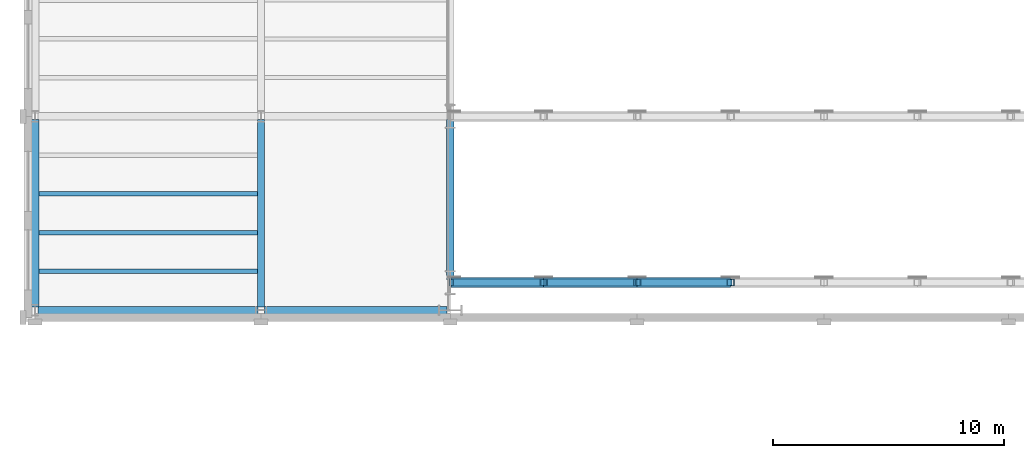
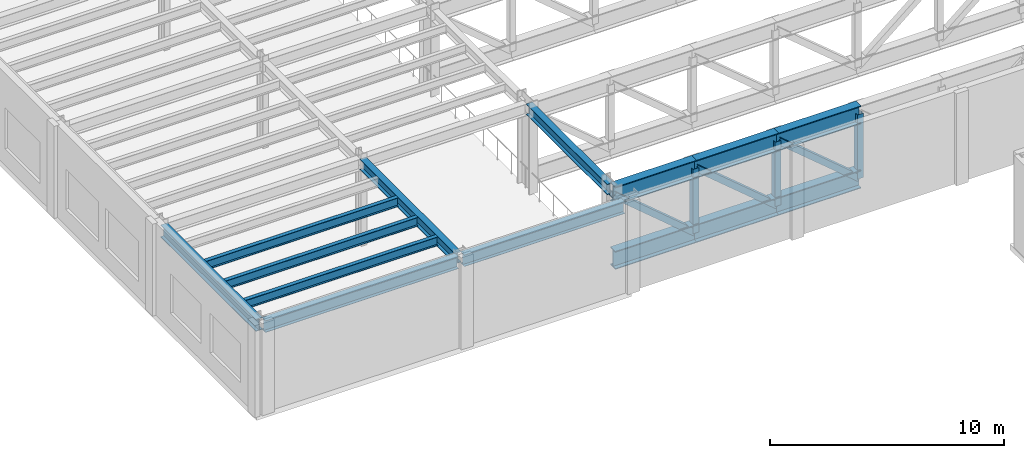
# One storey, part 16 of 91: 14 beams, 6 members.
"""IFC4 building model written with IfcOpenShell, lengths in metres."""

from ifc_helpers import new_model, si_unit, direction, frame, origin, origin_2d, place, context, subcontext, project, spatial, hollow_rectangle, i_section, extrude, material, material_profile, profile_set, type_object, element, save


model = new_model("IFC4")

# Units and contexts
model_context = context("Model", 3, precision=1e-05, world=origin(), true_north=direction((0.0, 1.0)))
body_context = subcontext(model_context, "Body", "Model", "MODEL_VIEW")
ifc_project = project(units=[si_unit("LENGTHUNIT", "METRE"), si_unit("AREAUNIT", "SQUARE_METRE"), si_unit("VOLUMEUNIT", "CUBIC_METRE"), si_unit("PLANEANGLEUNIT", "RADIAN"), si_unit("MASSUNIT", "GRAM", prefix="KILO")], contexts=[model_context])

# Site, building, storey
site_placement = place(None, origin())
site = spatial("IfcSite", under=ifc_project, at=site_placement, CompositionType="ELEMENT")
building_placement = place(site_placement, origin())
building = spatial("IfcBuilding", under=site, at=building_placement, Name="Sollismere Congress Hotel", CompositionType="ELEMENT")
storey_placement = place(building_placement, frame((0.0, 0.0, 10.800048828125)))
storey = spatial("IfcBuildingStorey", under=building, at=storey_placement, Name="L02", CompositionType="ELEMENT", Elevation=10.800048828125)

# Beams
ifc_material_1 = material(Name="Steel ASTM A992 Grade 50", Category="steel")
ifc_material_profile_1 = material_profile(ifc_material_1, i_section(OverallWidth=0.31494140625, OverallDepth=0.551025390625, WebThickness=0.01513671875, FlangeThickness=0.0244140625, at=origin_2d()), Name="W21X122")
ifc_profile_set_1 = profile_set([ifc_material_profile_1], Name="Steel ASTM A992 Grade 50")
beam_type_1 = type_object("IfcBeamType", Name="BM-G21H", PredefinedType="BEAM", material=ifc_profile_set_1)
beam_1_placement = place(storey_placement, frame((9.800048828125, 24.93994140625, 4.224365234375), z_axis=(0.0, 1.0, 0.0), x_axis=(-1.0, 0.0, 0.0)))
element("IfcBeam", 1, at=beam_1_placement, inside=storey, type_object=beam_type_1, Name="Beam BM-L02-2060", PredefinedType="BEAM", context=body_context, shape_type="SweptSolid", body=[
    extrude(i_section(OverallWidth=0.31494140625, OverallDepth=0.551025390625, WebThickness=0.01513671875, FlangeThickness=0.0244140625, at=origin_2d()), origin(), (0.0, 0.0, 1.0), 8.1201171875),
])
beam_2_placement = place(storey_placement, frame((18.0, 26.139892578125, 4.224365234375), z_axis=(0.0, 1.0, 0.0), x_axis=(-1.0, 0.0, 0.0)))
element("IfcBeam", 2, at=beam_2_placement, inside=storey, type_object=beam_type_1, Name="Beam BM-L02-2063", PredefinedType="BEAM", context=body_context, shape_type="SweptSolid", body=[
    extrude(i_section(OverallWidth=0.31494140625, OverallDepth=0.551025390625, WebThickness=0.01513671875, FlangeThickness=0.0244140625, at=origin_2d()), origin(), (0.0, 0.0, 1.0), 6.920166015625),
])
ifc_material_profile_2 = material_profile(ifc_material_1, i_section(OverallWidth=0.324951171875, OverallDepth=0.612060546875, WebThickness=0.0126953125, FlangeThickness=0.01904296875, at=origin_2d()), Name="W24X104")
ifc_profile_set_2 = profile_set([ifc_material_profile_2], Name="Steel ASTM A992 Grade 50")
beam_type_2 = type_object("IfcBeamType", Name="BM-G24", PredefinedType="BEAM", material=ifc_profile_set_2)
beam_3_placement = place(storey_placement, frame((0.139892578125, 24.800048828125, 4.19384765625), z_axis=(1.0, 0.0, 0.0), x_axis=(0.0, 1.0, 0.0)))
element("IfcBeam", 3, at=beam_3_placement, inside=storey, type_object=beam_type_2, Name="Beam BM-L02-2004", PredefinedType="BEAM", context=body_context, shape_type="SweptSolid", body=[
    extrude(i_section(OverallWidth=0.324951171875, OverallDepth=0.612060546875, WebThickness=0.0126953125, FlangeThickness=0.01904296875, at=origin_2d()), origin(), (0.0, 0.0, 1.0), 9.52001953125),
])
beam_4_placement = place(storey_placement, frame((9.93994140625, 24.800048828125, 4.19384765625), z_axis=(1.0, 0.0, 0.0), x_axis=(0.0, 1.0, 0.0)))
element("IfcBeam", 4, at=beam_4_placement, inside=storey, type_object=beam_type_2, Name="Beam BM-L02-2005", PredefinedType="BEAM", context=body_context, shape_type="SweptSolid", body=[
    extrude(i_section(OverallWidth=0.324951171875, OverallDepth=0.612060546875, WebThickness=0.0126953125, FlangeThickness=0.01904296875, at=origin_2d()), origin(), (0.0, 0.0, 1.0), 7.920166015625),
])
ifc_material_profile_3 = material_profile(ifc_material_1, i_section(OverallWidth=0.193115234375, OverallDepth=0.467041015625, WebThickness=0.011474609375, FlangeThickness=0.01904296875, at=origin_2d()), Name="W18X65")
ifc_profile_set_3 = profile_set([ifc_material_profile_3], Name="Steel ASTM A992 Grade 50")
beam_type_3 = type_object("IfcBeamType", Name="BM-J18", PredefinedType="JOIST", material=ifc_profile_set_3)
for number, where, z_axis, x_axis, name in (
    (5, (0.1650390625, 26.47998046875, 4.266357421875), (1.0, 0.0, 0.0), (0.0, 1.0, 0.0), "Beam BM-L02-2138"),
    (6, (0.1650390625, 28.159912109375, 4.266357421875), (1.0, 0.0, 0.0), (0.0, 1.0, 0.0), "Beam BM-L02-2139"),
    (7, (0.1650390625, 29.840087890625, 4.266357421875), (1.0, 0.0, 0.0), (0.0, 1.0, 0.0), "Beam BM-L02-2140"),
):
    element("IfcBeam", number, at=place(storey_placement, frame(where, z_axis=z_axis, x_axis=x_axis)), inside=storey, type_object=beam_type_3, Name=name, PredefinedType="JOIST", context=body_context, shape_type="SweptSolid", body=[
        extrude(i_section(OverallWidth=0.193115234375, OverallDepth=0.467041015625, WebThickness=0.011474609375, FlangeThickness=0.01904296875, at=origin_2d()), origin(), (0.0, 0.0, 1.0), 9.4775390625),
    ])
ifc_material_profile_4 = material_profile(ifc_material_1, i_section(OverallWidth=0.330078125, OverallDepth=0.635009765625, WebThickness=0.017822265625, FlangeThickness=0.031005859375, at=origin_2d()), Name="W24X162")
ifc_profile_set_4 = profile_set([ifc_material_profile_4], Name="Steel ASTM A992 Grade 50")
beam_type_4 = type_object("IfcBeamType", Name="BM-SP24E", PredefinedType="SPANDREL", material=ifc_profile_set_4)
beam_5_placement = place(storey_placement, frame((0.0, 24.93994140625, 4.182373046875), z_axis=(0.0, 1.0, 0.0), x_axis=(-1.0, 0.0, 0.0)))
element("IfcBeam", 8, at=beam_5_placement, inside=storey, type_object=beam_type_4, Name="Beam BM-L02-2055", PredefinedType="SPANDREL", context=body_context, shape_type="SweptSolid", body=[
    extrude(i_section(OverallWidth=0.330078125, OverallDepth=0.635009765625, WebThickness=0.017822265625, FlangeThickness=0.031005859375, at=origin_2d()), origin(), (0.0, 0.0, 1.0), 8.1201171875),
])
ifc_material_profile_5 = material_profile(ifc_material_1, i_section(OverallWidth=0.424072265625, OverallDepth=0.93994140625, WebThickness=0.02392578125, FlangeThickness=0.042724609375, at=origin_2d()), Name="W36X302")
ifc_profile_set_5 = profile_set([ifc_material_profile_5], Name="Steel ASTM A992 Grade 50")
beam_type_5 = type_object("IfcBeamType", Name="BM-TC36", PredefinedType="BEAM", material=ifc_profile_set_5)
for number, where, z_axis, x_axis, name in (
    (9, (18.0400390625, 26.0, 4.030029296875), (1.0, 0.0, 0.0), (0.0, 1.0, 0.0), "Transfer truss chord BM-L02-4048"),
    (10, (18.0400390625, 26.0, 0.679931640625), (1.0, 0.0, 0.0), (0.0, 1.0, 0.0), "Transfer truss chord BM-L02-4049"),
):
    element("IfcBeam", number, at=place(storey_placement, frame(where, z_axis=z_axis, x_axis=x_axis)), inside=storey, type_object=beam_type_5, Name=name, PredefinedType="BEAM", context=body_context, shape_type="SweptSolid", body=[
        extrude(i_section(OverallWidth=0.424072265625, OverallDepth=0.93994140625, WebThickness=0.02392578125, FlangeThickness=0.042724609375, at=origin_2d()), origin(), (0.0, 0.0, 1.0), 4.010009765625),
    ])
for number, where, z_axis, x_axis, name in (
    (11, (22.050048828125, 26.0, 4.030029296875), (1.0, 0.0, 0.0), (0.0, 1.0, 0.0), "Transfer truss chord BM-L02-4050"),
    (12, (22.050048828125, 26.0, 0.679931640625), (1.0, 0.0, 0.0), (0.0, 1.0, 0.0), "Transfer truss chord BM-L02-4051"),
):
    element("IfcBeam", number, at=place(storey_placement, frame(where, z_axis=z_axis, x_axis=x_axis)), inside=storey, type_object=beam_type_5, Name=name, PredefinedType="BEAM", context=body_context, shape_type="SweptSolid", body=[
        extrude(i_section(OverallWidth=0.424072265625, OverallDepth=0.93994140625, WebThickness=0.02392578125, FlangeThickness=0.042724609375, at=origin_2d()), origin(), (0.0, 0.0, 1.0), 4.050048828125),
    ])
for number, where, z_axis, x_axis, name in (
    (13, (26.10009765625, 26.0, 4.030029296875), (1.0, 0.0, 0.0), (0.0, 1.0, 0.0), "Transfer truss chord BM-L02-4052"),
    (14, (26.10009765625, 26.0, 0.679931640625), (1.0, 0.0, 0.0), (0.0, 1.0, 0.0), "Transfer truss chord BM-L02-4053"),
):
    element("IfcBeam", number, at=place(storey_placement, frame(where, z_axis=z_axis, x_axis=x_axis)), inside=storey, type_object=beam_type_5, Name=name, PredefinedType="BEAM", context=body_context, shape_type="SweptSolid", body=[
        extrude(i_section(OverallWidth=0.424072265625, OverallDepth=0.93994140625, WebThickness=0.02392578125, FlangeThickness=0.042724609375, at=origin_2d()), origin(), (0.0, 0.0, 1.0), 4.0498046875),
    ])

# Members
ifc_material_2 = material(Name="Steel ASTM A500 Grade C", Category="steel")
ifc_material_profile_6 = material_profile(ifc_material_2, hollow_rectangle(XDim=0.300048828125, YDim=0.300048828125, WallThickness=0.011962890625, at=origin_2d()), Name="HSS300X300X12")
ifc_profile_set_6 = profile_set([ifc_material_profile_6], Name="Steel ASTM A500 Grade C")
member_type_1 = type_object("IfcMemberType", Name="MB-BR300", PredefinedType="BRACE", material=ifc_profile_set_6)
member_1_placement = place(storey_placement, frame((18.0400390625, 26.0, 4.030029296875), z_axis=(0.765049916178, 0.0, -0.643970982076), x_axis=(0.0, 1.0, 0.0)))
element("IfcMember", 15, at=member_1_placement, inside=storey, type_object=member_type_1, Name="MBT-11 diagonal brace", PredefinedType="BRACE", context=body_context, shape_type="SweptSolid", body=[
    extrude(hollow_rectangle(XDim=0.300048828125, YDim=0.300048828125, WallThickness=0.011962890625, at=origin_2d()), origin(), (0.0, 0.0, 1.0), 5.2021484375),
])
member_2_placement = place(storey_placement, frame((22.080078125, 26.0, 4.030029296875), z_axis=(0.765846088126, 0.0, -0.643023925917), x_axis=(0.0, 1.0, 0.0)))
element("IfcMember", 16, at=member_2_placement, inside=storey, type_object=member_type_1, Name="MBT-12 diagonal brace", PredefinedType="BRACE", context=body_context, shape_type="SweptSolid", body=[
    extrude(hollow_rectangle(XDim=0.300048828125, YDim=0.300048828125, WallThickness=0.011962890625, at=origin_2d()), origin(), (0.0, 0.0, 1.0), 5.2099609375),
])
member_3_placement = place(storey_placement, frame((26.1298828125, 26.0, 4.030029296875), z_axis=(0.765865463077, 0.0, -0.643000849507), x_axis=(0.0, 1.0, 0.0)))
element("IfcMember", 17, at=member_3_placement, inside=storey, type_object=member_type_1, Name="MBT-13 diagonal brace", PredefinedType="BRACE", context=body_context, shape_type="SweptSolid", body=[
    extrude(hollow_rectangle(XDim=0.300048828125, YDim=0.300048828125, WallThickness=0.011962890625, at=origin_2d()), origin(), (0.0, 0.0, 1.0), 5.210205078125),
])
ifc_material_profile_7 = material_profile(ifc_material_2, hollow_rectangle(XDim=0.300048828125, YDim=0.300048828125, WallThickness=0.011962890625, at=origin_2d()), Name="HSS300X300X12")
ifc_profile_set_7 = profile_set([ifc_material_profile_7], Name="Steel ASTM A500 Grade C")
member_type_2 = type_object("IfcMemberType", Name="MB-ST300", PredefinedType="STRUT", material=ifc_profile_set_7)
for number, where, z_axis, x_axis, name in (
    (18, (22.050048828125, 26.0, 0.679931640625), (0.0, 0.0, 1.0), (1.0, 0.0, 0.0), "MVT-11 transfer truss strut"),
    (19, (26.10009765625, 26.0, 0.679931640625), (0.0, 0.0, 1.0), (1.0, 0.0, 0.0), "MVT-12 transfer truss strut"),
    (20, (30.14990234375, 26.0, 0.679931640625), (0.0, 0.0, 1.0), (1.0, 0.0, 0.0), "MVT-13 transfer truss strut"),
):
    element("IfcMember", number, at=place(storey_placement, frame(where, z_axis=z_axis, x_axis=x_axis)), inside=storey, type_object=member_type_2, Name=name, PredefinedType="STRUT", context=body_context, shape_type="SweptSolid", body=[
        extrude(hollow_rectangle(XDim=0.300048828125, YDim=0.300048828125, WallThickness=0.011962890625, at=origin_2d()), origin(), (0.0, 0.0, 1.0), 3.35009765625),
    ])

save(model, "model.ifc")
